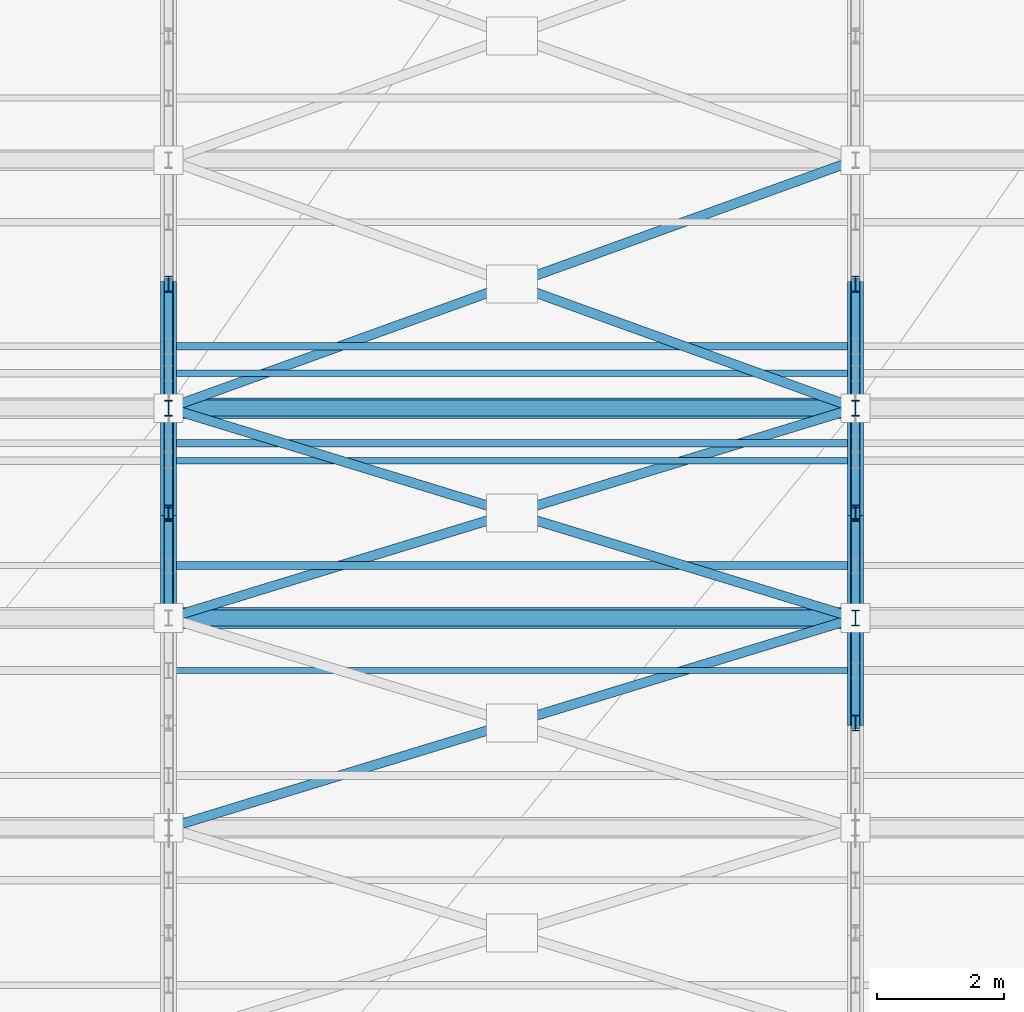
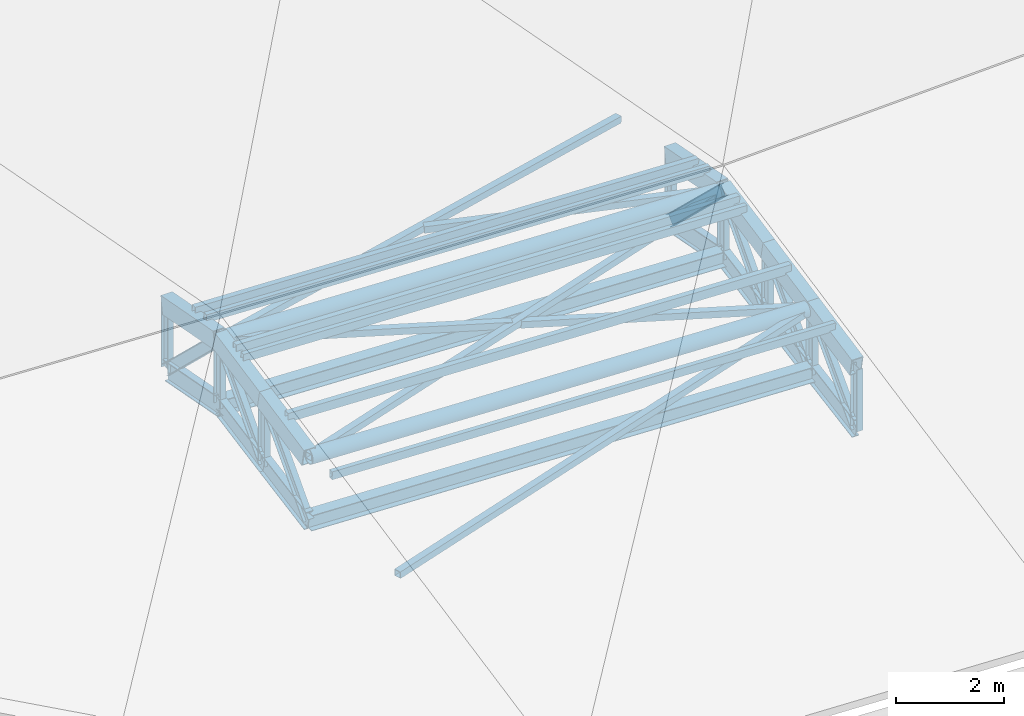
# One storey, part 20 of 89: 31 members, 14 beams.
"""IFC4 building model written with IfcOpenShell, lengths in metres."""

from ifc_helpers import new_model, si_unit, direction, frame, origin, origin_2d, place, context, subcontext, project, spatial, hollow_rectangle, hollow_circle, i_section, extrude, material, material_profile, profile_set, type_object, element, save


model = new_model("IFC4")

# Units and contexts
model_context = context("Model", 3, precision=1e-05, world=origin(), true_north=direction((0.0, 1.0)))
body_context = subcontext(model_context, "Body", "Model", "MODEL_VIEW")
ifc_project = project(units=[si_unit("LENGTHUNIT", "METRE"), si_unit("AREAUNIT", "SQUARE_METRE"), si_unit("VOLUMEUNIT", "CUBIC_METRE"), si_unit("PLANEANGLEUNIT", "RADIAN"), si_unit("MASSUNIT", "GRAM", prefix="KILO")], contexts=[model_context])

# Site, building, storey
site_placement = place(None, origin())
site = spatial("IfcSite", under=ifc_project, at=site_placement, CompositionType="ELEMENT")
building_placement = place(site_placement, origin())
building = spatial("IfcBuilding", under=site, at=building_placement, Name="Suirenkawa Promenade Aquatics Centre", CompositionType="ELEMENT")
storey_placement = place(building_placement, frame((0.0, 0.0, 9.60009765625)))
storey = spatial("IfcBuildingStorey", under=building, at=storey_placement, Name="L02", CompositionType="ELEMENT", Elevation=9.60009765625)

# Beams
ifc_material = material(Name="Steel IS 2062 E350 (Grade 350)", Category="steel")
ifc_material_profile_1 = material_profile(ifc_material, i_section(OverallWidth=0.14990234375, OverallDepth=0.449951171875, WebThickness=0.009033203125, FlangeThickness=0.01708984375, at=origin_2d()), Name="ISMB 450", Category="steel")
ifc_profile_set_1 = profile_set([ifc_material_profile_1], Name="Steel IS 2062 E350 (Grade 350)")
beam_type_1 = type_object("IfcBeamType", Name="BT-STL-ISMB450", PredefinedType="BEAM", material=ifc_profile_set_1)
beam_1_placement = place(storey_placement, frame((100.800048828125, 9.89990234375, -0.569091796875), z_axis=(0.0, 0.983867580991, 0.178898247823), x_axis=(-1.0, 0.0, 0.0)))
element("IfcBeam", 1, at=beam_1_placement, inside=storey, type_object=beam_type_1, Name="ROOF TRUSS V3 bottom chord BM-08 BM-2652", PredefinedType="BEAM", context=body_context, shape_type="SweptSolid", body=[
    extrude(i_section(OverallWidth=0.14990234375, OverallDepth=0.449951171875, WebThickness=0.009033203125, FlangeThickness=0.01708984375, at=origin_2d()), origin(), (0.0, 0.0, 1.0), 1.67724609375),
])
beam_2_placement = place(storey_placement, frame((100.800048828125, 11.550048828125, -0.26904296875), z_axis=(0.0, 0.982478263587, 0.186377202415), x_axis=(-1.0, 0.0, 0.0)))
element("IfcBeam", 2, at=beam_2_placement, inside=storey, type_object=beam_type_1, Name="ROOF TRUSS V3 bottom chord BM-08 BM-2654", PredefinedType="BEAM", context=body_context, shape_type="SweptSolid", body=[
    extrude(i_section(OverallWidth=0.14990234375, OverallDepth=0.449951171875, WebThickness=0.009033203125, FlangeThickness=0.01708984375, at=origin_2d()), origin(), (0.0, 0.0, 1.0), 1.679443359375),
])
beam_3_placement = place(storey_placement, frame((100.800048828125, 13.199951171875, 0.0439453125), z_axis=(0.0, 0.982368697104, -0.18695385246), x_axis=(-1.0, 0.0, 0.0)))
element("IfcBeam", 3, at=beam_3_placement, inside=storey, type_object=beam_type_1, Name="ROOF TRUSS V3 bottom chord BM-08 BM-2656", PredefinedType="BEAM", context=body_context, shape_type="SweptSolid", body=[
    extrude(i_section(OverallWidth=0.14990234375, OverallDepth=0.449951171875, WebThickness=0.009033203125, FlangeThickness=0.01708984375, at=origin_2d()), origin(), (0.0, 0.0, 1.0), 1.98486328125),
])
beam_4_placement = place(storey_placement, frame((111.60009765625, 8.25, -1.256103515625), z_axis=(0.0, 0.98519463055, 0.17143961017), x_axis=(-1.0, 0.0, 0.0)))
element("IfcBeam", 4, at=beam_4_placement, inside=storey, type_object=beam_type_1, Name="ROOF TRUSS V3 bottom chord BM-08 BM-2682", PredefinedType="BEAM", context=body_context, shape_type="SweptSolid", body=[
    extrude(i_section(OverallWidth=0.14990234375, OverallDepth=0.449951171875, WebThickness=0.009033203125, FlangeThickness=0.01708984375, at=origin_2d()), origin(), (0.0, 0.0, 1.0), 1.6748046875),
])
beam_5_placement = place(storey_placement, frame((111.60009765625, 9.89990234375, -0.968994140625), z_axis=(0.0, 0.983893192619, 0.178757336963), x_axis=(-1.0, 0.0, 0.0)))
element("IfcBeam", 5, at=beam_5_placement, inside=storey, type_object=beam_type_1, Name="ROOF TRUSS V3 bottom chord BM-08 BM-2684", PredefinedType="BEAM", context=body_context, shape_type="SweptSolid", body=[
    extrude(i_section(OverallWidth=0.14990234375, OverallDepth=0.449951171875, WebThickness=0.009033203125, FlangeThickness=0.01708984375, at=origin_2d()), origin(), (0.0, 0.0, 1.0), 1.67724609375),
])
beam_6_placement = place(storey_placement, frame((111.60009765625, 11.550048828125, -0.669189453125), z_axis=(0.0, 0.982478263587, 0.186377202415), x_axis=(-1.0, 0.0, 0.0)))
element("IfcBeam", 6, at=beam_6_placement, inside=storey, type_object=beam_type_1, Name="ROOF TRUSS V3 bottom chord BM-08 BM-2686", PredefinedType="BEAM", context=body_context, shape_type="SweptSolid", body=[
    extrude(i_section(OverallWidth=0.14990234375, OverallDepth=0.449951171875, WebThickness=0.009033203125, FlangeThickness=0.01708984375, at=origin_2d()), origin(), (0.0, 0.0, 1.0), 1.679443359375),
])
beam_7_placement = place(storey_placement, frame((111.60009765625, 13.199951171875, -0.356201171875), z_axis=(0.0, 0.982391279596, -0.186835151334), x_axis=(-1.0, 0.0, 0.0)))
element("IfcBeam", 7, at=beam_7_placement, inside=storey, type_object=beam_type_1, Name="ROOF TRUSS V3 bottom chord BM-08 BM-2688", PredefinedType="BEAM", context=body_context, shape_type="SweptSolid", body=[
    extrude(i_section(OverallWidth=0.14990234375, OverallDepth=0.449951171875, WebThickness=0.009033203125, FlangeThickness=0.01708984375, at=origin_2d()), origin(), (0.0, 0.0, 1.0), 1.98486328125),
])
ifc_material_profile_2 = material_profile(ifc_material, hollow_rectangle(XDim=0.25, YDim=0.39990234375, WallThickness=0.01611328125, at=origin_2d()), Name="RHS 400x250x16", Category="steel")
ifc_profile_set_2 = profile_set([ifc_material_profile_2], Name="Steel IS 2062 E350 (Grade 350)")
beam_type_2 = type_object("IfcBeamType", Name="BT-TC-RHS400", PredefinedType="BEAM", material=ifc_profile_set_2)
beam_8_placement = place(storey_placement, frame((100.800048828125, 9.89990234375, 0.8779296875), z_axis=(0.0, 0.980463336519, 0.196701921042), x_axis=(-1.0, 0.0, 0.0)))
element("IfcBeam", 8, at=beam_8_placement, inside=storey, type_object=beam_type_2, Name="ROOF TRUSS V3 top chord TC-03 BM-2651", PredefinedType="BEAM", context=body_context, shape_type="SweptSolid", body=[
    extrude(hollow_rectangle(XDim=0.25, YDim=0.39990234375, WallThickness=0.01611328125, at=origin_2d()), origin(), (0.0, 0.0, 1.0), 1.68310546875),
])
beam_9_placement = place(storey_placement, frame((100.800048828125, 11.550048828125, 1.208984375), z_axis=(0.0, 0.980485697583, 0.196590429154), x_axis=(-1.0, 0.0, 0.0)))
element("IfcBeam", 9, at=beam_9_placement, inside=storey, type_object=beam_type_2, Name="ROOF TRUSS V3 top chord TC-03 BM-2653", PredefinedType="BEAM", context=body_context, shape_type="SweptSolid", body=[
    extrude(hollow_rectangle(XDim=0.25, YDim=0.39990234375, WallThickness=0.01611328125, at=origin_2d()), origin(), (0.0, 0.0, 1.0), 1.682861328125),
])
beam_10_placement = place(storey_placement, frame((100.800048828125, 13.199951171875, 1.539794921875), z_axis=(0.0, 0.982571460273, -0.185885248087), x_axis=(-1.0, 0.0, 0.0)))
element("IfcBeam", 10, at=beam_10_placement, inside=storey, type_object=beam_type_2, Name="ROOF TRUSS V3 top chord TC-03 BM-2655", PredefinedType="BEAM", context=body_context, shape_type="SweptSolid", body=[
    extrude(hollow_rectangle(XDim=0.25, YDim=0.39990234375, WallThickness=0.01611328125, at=origin_2d()), origin(), (0.0, 0.0, 1.0), 1.984619140625),
])
beam_11_placement = place(storey_placement, frame((111.60009765625, 8.25, 0.14599609375), z_axis=(0.0, 0.980373688607, 0.19714824546), x_axis=(-1.0, 0.0, 0.0)))
element("IfcBeam", 11, at=beam_11_placement, inside=storey, type_object=beam_type_2, Name="ROOF TRUSS V3 top chord TC-03 BM-2681", PredefinedType="BEAM", context=body_context, shape_type="SweptSolid", body=[
    extrude(hollow_rectangle(XDim=0.25, YDim=0.39990234375, WallThickness=0.01611328125, at=origin_2d()), origin(), (0.0, 0.0, 1.0), 1.682861328125),
])
beam_12_placement = place(storey_placement, frame((111.60009765625, 9.89990234375, 0.477783203125), z_axis=(0.0, 0.980463336519, 0.196701921042), x_axis=(-1.0, 0.0, 0.0)))
element("IfcBeam", 12, at=beam_12_placement, inside=storey, type_object=beam_type_2, Name="ROOF TRUSS V3 top chord TC-03 BM-2683", PredefinedType="BEAM", context=body_context, shape_type="SweptSolid", body=[
    extrude(hollow_rectangle(XDim=0.25, YDim=0.39990234375, WallThickness=0.01611328125, at=origin_2d()), origin(), (0.0, 0.0, 1.0), 1.68310546875),
])
beam_13_placement = place(storey_placement, frame((111.60009765625, 11.550048828125, 0.808837890625), z_axis=(0.0, 0.980457722696, 0.196729901151), x_axis=(-1.0, 0.0, 0.0)))
element("IfcBeam", 13, at=beam_13_placement, inside=storey, type_object=beam_type_2, Name="ROOF TRUSS V3 top chord TC-03 BM-2685", PredefinedType="BEAM", context=body_context, shape_type="SweptSolid", body=[
    extrude(hollow_rectangle(XDim=0.25, YDim=0.39990234375, WallThickness=0.01611328125, at=origin_2d()), origin(), (0.0, 0.0, 1.0), 1.682861328125),
])
beam_14_placement = place(storey_placement, frame((111.60009765625, 13.199951171875, 1.139892578125), z_axis=(0.0, 0.982571460273, -0.185885248087), x_axis=(-1.0, 0.0, 0.0)))
element("IfcBeam", 14, at=beam_14_placement, inside=storey, type_object=beam_type_2, Name="ROOF TRUSS V3 top chord TC-03 BM-2687", PredefinedType="BEAM", context=body_context, shape_type="SweptSolid", body=[
    extrude(hollow_rectangle(XDim=0.25, YDim=0.39990234375, WallThickness=0.01611328125, at=origin_2d()), origin(), (0.0, 0.0, 1.0), 1.984619140625),
])

# Members
ifc_material_profile_3 = material_profile(ifc_material, hollow_rectangle(XDim=0.14990234375, YDim=0.14990234375, WallThickness=0.008056640625, at=origin_2d()), Name="SHS 150x150x8", Category="steel")
ifc_profile_set_3 = profile_set([ifc_material_profile_3], Name="Steel IS 2062 E350 (Grade 350)")
member_type_1 = type_object("IfcMemberType", Name="MT-BRACE-SHS150", PredefinedType="BRACE", material=ifc_profile_set_3)
for number, where, z_axis, x_axis, name in (
    (15, (100.800048828125, 6.60009765625, 0.21484375), (0.95609764607, 0.29212233615, 0.023277282926), (-0.292201508926, 0.95635677348, 0.0), "ROOF TRUSS V3 continuous plan brace BF-02 MB-1636"),
    (16, (100.800048828125, 9.89990234375, 0.8779296875), (0.95609352985, 0.29214269148, 0.02319073078), (-0.292221281811, 0.956350731927, 0.0), "ROOF TRUSS V3 continuous plan brace BF-02 MB-1639"),
):
    element("IfcMember", number, at=place(storey_placement, frame(where, z_axis=z_axis, x_axis=x_axis)), inside=storey, type_object=member_type_1, Name=name, PredefinedType="BRACE", context=body_context, shape_type="SweptSolid", body=[
        extrude(hollow_rectangle(XDim=0.14990234375, YDim=0.14990234375, WallThickness=0.008056640625, at=origin_2d()), origin(), (0.0, 0.0, 1.0), 11.2958984375),
    ])
member_1_placement = place(storey_placement, frame((111.60009765625, 9.89990234375, 0.477783203125), z_axis=(-0.952161949317, 0.290888600296, 0.093655990149), x_axis=(-0.292172811394, -0.956365541141, 0.0)))
element("IfcMember", 17, at=member_1_placement, inside=storey, type_object=member_type_1, Name="ROOF TRUSS V3 split plan brace A BF-02 MB-1640", PredefinedType="BRACE", context=body_context, shape_type="SweptSolid", body=[
    extrude(hollow_rectangle(XDim=0.14990234375, YDim=0.14990234375, WallThickness=0.008056640625, at=origin_2d()), origin(), (0.0, 0.0, 1.0), 5.58642578125),
])
member_2_placement = place(storey_placement, frame((106.118896484375, 11.574951171875, 1.016845703125), z_axis=(-0.952161764408, 0.290901895892, 0.093616565655), x_axis=(-0.292185077524, -0.956361793712, 0.0)))
element("IfcMember", 18, at=member_2_placement, inside=storey, type_object=member_type_1, Name="ROOF TRUSS V3 split plan brace B BF-02 MB-1641", PredefinedType="BRACE", context=body_context, shape_type="SweptSolid", body=[
    extrude(hollow_rectangle(XDim=0.14990234375, YDim=0.14990234375, WallThickness=0.008056640625, at=origin_2d()), origin(), (0.0, 0.0, 1.0), 5.586181640625),
])
member_3_placement = place(storey_placement, frame((100.800048828125, 13.199951171875, 1.539794921875), z_axis=(0.935973344291, 0.338001541132, -0.09853353221), x_axis=(-0.339654390686, 0.940550314916, 0.0)))
element("IfcMember", 19, at=member_3_placement, inside=storey, type_object=member_type_1, Name="ROOF TRUSS V3 continuous plan brace BF-02 MB-1642", PredefinedType="BRACE", context=body_context, shape_type="SweptSolid", body=[
    extrude(hollow_rectangle(XDim=0.14990234375, YDim=0.14990234375, WallThickness=0.008056640625, at=origin_2d()), origin(), (0.0, 0.0, 1.0), 11.538818359375),
])
member_4_placement = place(storey_placement, frame((111.60009765625, 13.199951171875, 1.139892578125), z_axis=(-0.9401486579, 0.339499324906, -0.029337849909), x_axis=(-0.339645524425, -0.940553516679, 0.0)))
element("IfcMember", 20, at=member_4_placement, inside=storey, type_object=member_type_1, Name="ROOF TRUSS V3 split plan brace A BF-02 MB-1643", PredefinedType="BRACE", context=body_context, shape_type="SweptSolid", body=[
    extrude(hollow_rectangle(XDim=0.14990234375, YDim=0.14990234375, WallThickness=0.008056640625, at=origin_2d()), origin(), (0.0, 0.0, 1.0), 5.65869140625),
])
ifc_material_profile_4 = material_profile(ifc_material, hollow_circle(Radius=0.162109375, WallThickness=0.013916015625, at=origin_2d()), Name="CHS 324x14", Category="steel")
ifc_profile_set_4 = profile_set([ifc_material_profile_4], Name="Steel IS 2062 E350 (Grade 350)")
member_type_2 = type_object("IfcMemberType", Name="MT-CHORD-CHS324", PredefinedType="CHORD", material=ifc_profile_set_4)
for number, where, z_axis, x_axis, name in (
    (21, (100.800048828125, 9.89990234375, 0.8779296875), (0.999314338554, 0.0, -0.037025028842), (0.0, 1.0, 0.0), "ROOF TRUSS V3 tie chord CH-01 MB-1567"),
    (22, (100.800048828125, 13.199951171875, 1.539794921875), (0.999315174122, 0.0, -0.03700246977), (0.0, 1.0, 0.0), "ROOF TRUSS V3 tie chord CH-01 MB-1581"),
):
    element("IfcMember", number, at=place(storey_placement, frame(where, z_axis=z_axis, x_axis=x_axis)), inside=storey, type_object=member_type_2, Name=name, PredefinedType="CHORD", context=body_context, shape_type="SweptSolid", body=[
        extrude(hollow_circle(Radius=0.162109375, WallThickness=0.013916015625, at=origin_2d()), origin(), (0.0, 0.0, 1.0), 10.807373046875),
    ])
ifc_material_profile_5 = material_profile(ifc_material, i_section(OverallWidth=0.25, OverallDepth=0.35009765625, WebThickness=0.010009765625, FlangeThickness=0.011962890625, at=origin_2d()), Name="ISHB 350", Category="steel")
ifc_profile_set_5 = profile_set([ifc_material_profile_5], Name="Steel IS 2062 E350 (Grade 350)")
member_type_3 = type_object("IfcMemberType", Name="MT-CHORD-ISHB350", PredefinedType="CHORD", material=ifc_profile_set_5)
for number, where, z_axis, x_axis, name in (
    (23, (100.800048828125, 9.89990234375, -0.569091796875), (0.999315174122, 0.0, -0.03700246977), (0.0, 1.0, 0.0), "ROOF TRUSS V3 bottom tie CH-04 MB-1568"),
    (24, (100.800048828125, 13.199951171875, 0.0439453125), (0.999314338554, 0.0, -0.037025028842), (0.0, 1.0, 0.0), "ROOF TRUSS V3 bottom tie CH-04 MB-1582"),
):
    element("IfcMember", number, at=place(storey_placement, frame(where, z_axis=z_axis, x_axis=x_axis)), inside=storey, type_object=member_type_3, Name=name, PredefinedType="CHORD", context=body_context, shape_type="SweptSolid", body=[
        extrude(i_section(OverallWidth=0.25, OverallDepth=0.35009765625, WebThickness=0.010009765625, FlangeThickness=0.011962890625, at=origin_2d()), origin(), (0.0, 0.0, 1.0), 10.807373046875),
    ])
ifc_material_profile_6 = material_profile(ifc_material, hollow_rectangle(XDim=0.10009765625, YDim=0.179931640625, WallThickness=0.008056640625, at=origin_2d()), Name="RHS 180x100x8", Category="steel")
ifc_profile_set_6 = profile_set([ifc_material_profile_6], Name="Steel IS 2062 E350 (Grade 350)")
member_type_4 = type_object("IfcMemberType", Name="MT-PURLIN-RHS180", PredefinedType="PURLIN", material=ifc_profile_set_6)
for number, where, z_axis, x_axis, name in (
    (25, (100.800048828125, 9.074951171875, 0.9638671875), (0.999315174122, 0.0, -0.03700246977), (0.0, 1.0, 0.0), "ROOF TRUSS Roof purlin PU-01 MB-2717"),
    (26, (100.800048828125, 12.375, 1.6259765625), (0.999314338554, 0.0, -0.037025028842), (0.0, 1.0, 0.0), "ROOF TRUSS Roof purlin PU-01 MB-2721"),
    (27, (100.800048828125, 13.75, 1.68896484375), (0.999314338554, 0.0, -0.037025028842), (0.0, 1.0, 0.0), "ROOF TRUSS Roof purlin PU-01 MB-2725"),
):
    element("IfcMember", number, at=place(storey_placement, frame(where, z_axis=z_axis, x_axis=x_axis)), inside=storey, type_object=member_type_4, Name=name, PredefinedType="PURLIN", context=body_context, shape_type="SweptSolid", body=[
        extrude(hollow_rectangle(XDim=0.10009765625, YDim=0.179931640625, WallThickness=0.008056640625, at=origin_2d()), origin(), (0.0, 0.0, 1.0), 10.807373046875),
    ])
ifc_material_profile_7 = material_profile(ifc_material, hollow_rectangle(XDim=0.1201171875, YDim=0.199951171875, WallThickness=0.008056640625, at=origin_2d()), Name="RHS 200x120x8", Category="steel")
ifc_profile_set_7 = profile_set([ifc_material_profile_7], Name="Steel IS 2062 E350 (Grade 350)")
member_type_5 = type_object("IfcMemberType", Name="MT-PURLIN-RHS200", PredefinedType="PURLIN", material=ifc_profile_set_7)
for number, where, z_axis, x_axis, name in (
    (28, (100.800048828125, 10.72509765625, 1.282958984375), (0.999314338554, 0.0, -0.037025028842), (0.0, 1.0, 0.0), "ROOF TRUSS Roof purlin PU-02 MB-2719"),
    (29, (100.800048828125, 12.64990234375, 1.669921875), (0.999315174122, 0.0, -0.03700246977), (0.0, 1.0, 0.0), "ROOF TRUSS Roof purlin PU-02 MB-2723"),
    (30, (100.800048828125, 14.175048828125, 1.596923828125), (0.999315174122, 0.0, -0.03700246977), (0.0, 1.0, 0.0), "ROOF TRUSS Roof purlin PU-02 MB-2727"),
):
    element("IfcMember", number, at=place(storey_placement, frame(where, z_axis=z_axis, x_axis=x_axis)), inside=storey, type_object=member_type_5, Name=name, PredefinedType="PURLIN", context=body_context, shape_type="SweptSolid", body=[
        extrude(hollow_rectangle(XDim=0.1201171875, YDim=0.199951171875, WallThickness=0.008056640625, at=origin_2d()), origin(), (0.0, 0.0, 1.0), 10.807373046875),
    ])
ifc_material_profile_8 = material_profile(ifc_material, i_section(OverallWidth=0.125, OverallDepth=0.25, WebThickness=0.007080078125, FlangeThickness=0.012939453125, at=origin_2d()), Name="ISMB 250", Category="steel")
ifc_profile_set_8 = profile_set([ifc_material_profile_8], Name="Steel IS 2062 E350 (Grade 350)")
member_type_6 = type_object("IfcMemberType", Name="MT-WEB-CHS168", PredefinedType="BRACE", material=ifc_profile_set_8)
member_5_placement = place(storey_placement, frame((100.800048828125, 9.89990234375, -0.569091796875), z_axis=(0.0, 0.680246477902, 0.732983444084), x_axis=(-1.0, 0.0, 0.0)))
element("IfcMember", 31, at=member_5_placement, inside=storey, type_object=member_type_6, Name="ROOF TRUSS V3 web diagonal TD-03 MB-1344", PredefinedType="BRACE", context=body_context, shape_type="SweptSolid", body=[
    extrude(i_section(OverallWidth=0.125, OverallDepth=0.25, WebThickness=0.007080078125, FlangeThickness=0.012939453125, at=origin_2d()), origin(), (0.0, 0.0, 1.0), 2.42578125),
])
member_6_placement = place(storey_placement, frame((100.800048828125, 11.550048828125, -0.26904296875), z_axis=(0.0, 0.673902786991, 0.73882002794), x_axis=(-1.0, 0.0, 0.0)))
element("IfcMember", 32, at=member_6_placement, inside=storey, type_object=member_type_6, Name="ROOF TRUSS V3 web diagonal TD-03 MB-1345", PredefinedType="BRACE", context=body_context, shape_type="SweptSolid", body=[
    extrude(i_section(OverallWidth=0.125, OverallDepth=0.25, WebThickness=0.007080078125, FlangeThickness=0.012939453125, at=origin_2d()), origin(), (0.0, 0.0, 1.0), 2.4482421875),
])
member_7_placement = place(storey_placement, frame((100.800048828125, 13.199951171875, 1.539794921875), z_axis=(0.0, 0.722313777242, -0.691565475719), x_axis=(-1.0, 0.0, 0.0)))
element("IfcMember", 33, at=member_7_placement, inside=storey, type_object=member_type_6, Name="ROOF TRUSS V3 web diagonal TD-03 MB-1346", PredefinedType="BRACE", context=body_context, shape_type="SweptSolid", body=[
    extrude(i_section(OverallWidth=0.125, OverallDepth=0.25, WebThickness=0.007080078125, FlangeThickness=0.012939453125, at=origin_2d()), origin(), (0.0, 0.0, 1.0), 2.69970703125),
])
member_8_placement = place(storey_placement, frame((100.800048828125, 11.550048828125, -0.26904296875), z_axis=(0.0, 0.0, 1.0), x_axis=(1.0, 0.0, 0.0)))
element("IfcMember", 34, at=member_8_placement, inside=storey, type_object=member_type_6, Name="ROOF TRUSS V3 web post TD-03 MB-1360", PredefinedType="BRACE", context=body_context, shape_type="SweptSolid", body=[
    extrude(i_section(OverallWidth=0.125, OverallDepth=0.25, WebThickness=0.007080078125, FlangeThickness=0.012939453125, at=origin_2d()), origin(), (0.0, 0.0, 1.0), 1.47802734375),
])
member_9_placement = place(storey_placement, frame((100.800048828125, 13.199951171875, 0.0439453125), z_axis=(0.0, 0.0, 1.0), x_axis=(1.0, 0.0, 0.0)))
element("IfcMember", 35, at=member_9_placement, inside=storey, type_object=member_type_6, Name="ROOF TRUSS V3 web post TD-03 MB-1361", PredefinedType="BRACE", context=body_context, shape_type="SweptSolid", body=[
    extrude(i_section(OverallWidth=0.125, OverallDepth=0.25, WebThickness=0.007080078125, FlangeThickness=0.012939453125, at=origin_2d()), origin(), (0.0, 0.0, 1.0), 1.495849609375),
])
member_10_placement = place(storey_placement, frame((100.800048828125, 15.14990234375, -0.3271484375), z_axis=(0.0, 0.0, 1.0), x_axis=(1.0, 0.0, 0.0)))
element("IfcMember", 36, at=member_10_placement, inside=storey, type_object=member_type_6, Name="ROOF TRUSS V3 web post TD-03 MB-1362", PredefinedType="BRACE", context=body_context, shape_type="SweptSolid", body=[
    extrude(i_section(OverallWidth=0.125, OverallDepth=0.25, WebThickness=0.007080078125, FlangeThickness=0.012939453125, at=origin_2d()), origin(), (0.0, 0.0, 1.0), 1.498046875),
])
member_11_placement = place(storey_placement, frame((111.60009765625, 8.25, -1.256103515625), z_axis=(0.0, 0.689344366045, 0.724433809952), x_axis=(-1.0, 0.0, 0.0)))
element("IfcMember", 37, at=member_11_placement, inside=storey, type_object=member_type_6, Name="ROOF TRUSS V3 web diagonal TD-03 MB-1374", PredefinedType="BRACE", context=body_context, shape_type="SweptSolid", body=[
    extrude(i_section(OverallWidth=0.125, OverallDepth=0.25, WebThickness=0.007080078125, FlangeThickness=0.012939453125, at=origin_2d()), origin(), (0.0, 0.0, 1.0), 2.3935546875),
])
member_12_placement = place(storey_placement, frame((111.60009765625, 9.89990234375, -0.968994140625), z_axis=(0.0, 0.680296661589, 0.732936867834), x_axis=(-1.0, 0.0, 0.0)))
element("IfcMember", 38, at=member_12_placement, inside=storey, type_object=member_type_6, Name="ROOF TRUSS V3 web diagonal TD-03 MB-1375", PredefinedType="BRACE", context=body_context, shape_type="SweptSolid", body=[
    extrude(i_section(OverallWidth=0.125, OverallDepth=0.25, WebThickness=0.007080078125, FlangeThickness=0.012939453125, at=origin_2d()), origin(), (0.0, 0.0, 1.0), 2.425537109375),
])
member_13_placement = place(storey_placement, frame((111.60009765625, 11.550048828125, -0.669189453125), z_axis=(0.0, 0.673853139616, 0.738865309938), x_axis=(-1.0, 0.0, 0.0)))
element("IfcMember", 39, at=member_13_placement, inside=storey, type_object=member_type_6, Name="ROOF TRUSS V3 web diagonal TD-03 MB-1376", PredefinedType="BRACE", context=body_context, shape_type="SweptSolid", body=[
    extrude(i_section(OverallWidth=0.125, OverallDepth=0.25, WebThickness=0.007080078125, FlangeThickness=0.012939453125, at=origin_2d()), origin(), (0.0, 0.0, 1.0), 2.448486328125),
])
member_14_placement = place(storey_placement, frame((111.60009765625, 13.199951171875, 1.139892578125), z_axis=(0.0, 0.722313777242, -0.691565475719), x_axis=(-1.0, 0.0, 0.0)))
element("IfcMember", 40, at=member_14_placement, inside=storey, type_object=member_type_6, Name="ROOF TRUSS V3 web diagonal TD-03 MB-1377", PredefinedType="BRACE", context=body_context, shape_type="SweptSolid", body=[
    extrude(i_section(OverallWidth=0.125, OverallDepth=0.25, WebThickness=0.007080078125, FlangeThickness=0.012939453125, at=origin_2d()), origin(), (0.0, 0.0, 1.0), 2.69970703125),
])
member_15_placement = place(storey_placement, frame((111.60009765625, 8.25, -1.256103515625), z_axis=(0.0, 0.0, 1.0), x_axis=(1.0, 0.0, 0.0)))
element("IfcMember", 41, at=member_15_placement, inside=storey, type_object=member_type_6, Name="ROOF TRUSS V3 web post TD-03 MB-1389", PredefinedType="BRACE", context=body_context, shape_type="SweptSolid", body=[
    extrude(i_section(OverallWidth=0.125, OverallDepth=0.25, WebThickness=0.007080078125, FlangeThickness=0.012939453125, at=origin_2d()), origin(), (0.0, 0.0, 1.0), 1.402099609375),
])
member_16_placement = place(storey_placement, frame((111.60009765625, 9.89990234375, -0.968994140625), z_axis=(0.0, 0.0, 1.0), x_axis=(1.0, 0.0, 0.0)))
element("IfcMember", 42, at=member_16_placement, inside=storey, type_object=member_type_6, Name="ROOF TRUSS V3 web post TD-03 MB-1390", PredefinedType="BRACE", context=body_context, shape_type="SweptSolid", body=[
    extrude(i_section(OverallWidth=0.125, OverallDepth=0.25, WebThickness=0.007080078125, FlangeThickness=0.012939453125, at=origin_2d()), origin(), (0.0, 0.0, 1.0), 1.44677734375),
])
member_17_placement = place(storey_placement, frame((111.60009765625, 11.550048828125, -0.669189453125), z_axis=(0.0, 0.0, 1.0), x_axis=(1.0, 0.0, 0.0)))
element("IfcMember", 43, at=member_17_placement, inside=storey, type_object=member_type_6, Name="ROOF TRUSS V3 web post TD-03 MB-1391", PredefinedType="BRACE", context=body_context, shape_type="SweptSolid", body=[
    extrude(i_section(OverallWidth=0.125, OverallDepth=0.25, WebThickness=0.007080078125, FlangeThickness=0.012939453125, at=origin_2d()), origin(), (0.0, 0.0, 1.0), 1.47802734375),
])
member_18_placement = place(storey_placement, frame((111.60009765625, 13.199951171875, -0.356201171875), z_axis=(0.0, 0.0, 1.0), x_axis=(1.0, 0.0, 0.0)))
element("IfcMember", 44, at=member_18_placement, inside=storey, type_object=member_type_6, Name="ROOF TRUSS V3 web post TD-03 MB-1392", PredefinedType="BRACE", context=body_context, shape_type="SweptSolid", body=[
    extrude(i_section(OverallWidth=0.125, OverallDepth=0.25, WebThickness=0.007080078125, FlangeThickness=0.012939453125, at=origin_2d()), origin(), (0.0, 0.0, 1.0), 1.49609375),
])
member_19_placement = place(storey_placement, frame((111.60009765625, 15.14990234375, -0.72705078125), z_axis=(0.0, 0.0, 1.0), x_axis=(1.0, 0.0, 0.0)))
element("IfcMember", 45, at=member_19_placement, inside=storey, type_object=member_type_6, Name="ROOF TRUSS V3 web post TD-03 MB-1393", PredefinedType="BRACE", context=body_context, shape_type="SweptSolid", body=[
    extrude(i_section(OverallWidth=0.125, OverallDepth=0.25, WebThickness=0.007080078125, FlangeThickness=0.012939453125, at=origin_2d()), origin(), (0.0, 0.0, 1.0), 1.498046875),
])

save(model, "model.ifc")
